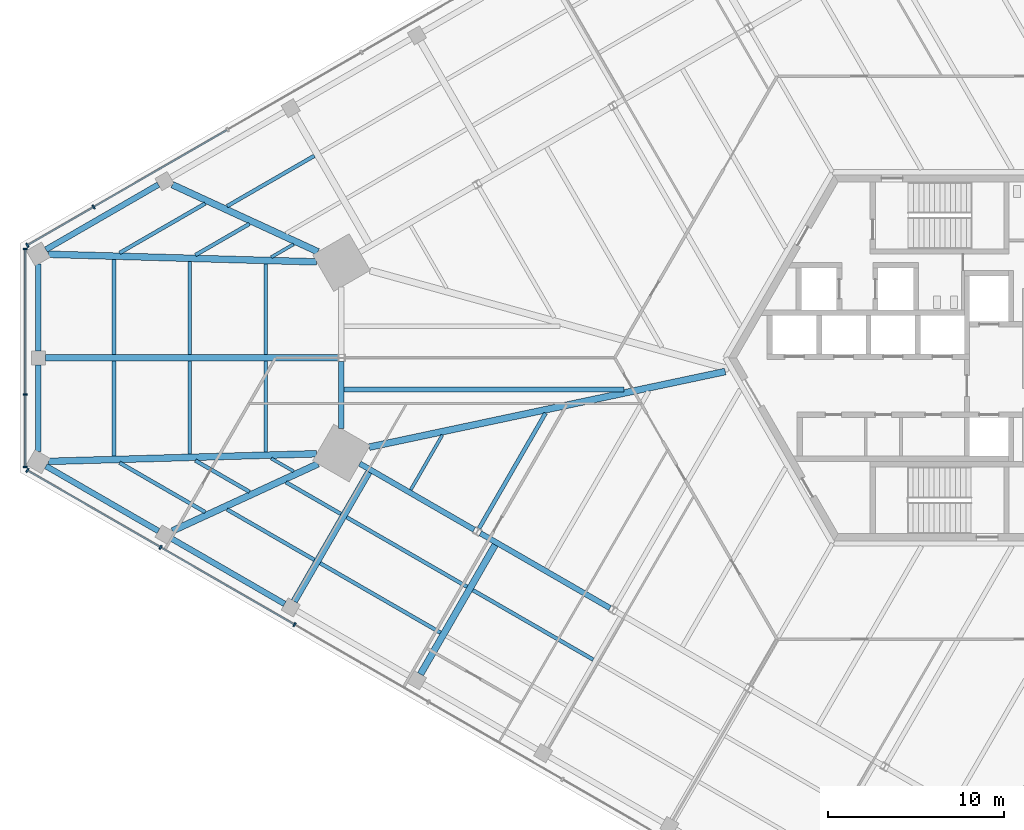
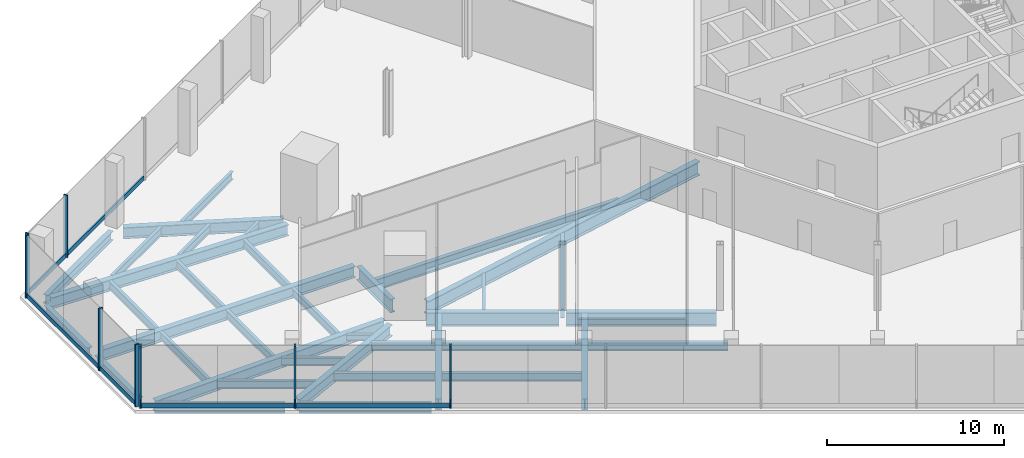
# One storey, part 7 of 25: 37 beams, 14 members, 3 elements without a shape of their own.
"""IFC4 building model written with IfcOpenShell, lengths in metres."""

from ifc_helpers import new_model, si_unit, direction, frame, origin, origin_2d, place, context, subcontext, project, spatial, rectangle, i_section, extrude, source, transform, mapped, material, material_profile, profile_set, type_object, element, aggregate, save


model = new_model("IFC4")

# Units and contexts
model_context = context("Model", 3, precision=1e-05, world=origin(), true_north=direction((0.0, 1.0)))
body_context = subcontext(model_context, "Body", "Model", "MODEL_VIEW")
ifc_project = project(units=[si_unit("LENGTHUNIT", "METRE"), si_unit("AREAUNIT", "SQUARE_METRE"), si_unit("VOLUMEUNIT", "CUBIC_METRE"), si_unit("PLANEANGLEUNIT", "RADIAN"), si_unit("MASSUNIT", "GRAM", prefix="KILO")], contexts=[model_context])

# Site, building, storey
site_placement = place(None, origin())
site = spatial("IfcSite", under=ifc_project, at=site_placement, CompositionType="ELEMENT")
building_placement = place(site_placement, origin())
building = spatial("IfcBuilding", under=site, at=building_placement, Name="Triune Harvest Tower", CompositionType="ELEMENT")
storey_placement = place(building_placement, frame((0.0, 0.0, 11.5)))
storey = spatial("IfcBuildingStorey", under=building, at=storey_placement, Name="L02", CompositionType="ELEMENT", Elevation=11.5)

# Beams
ifc_material_1 = material(Name="Steel ASTM A992 Gr 50", Category="steel")
ifc_material_profile_1 = material_profile(ifc_material_1, i_section(OverallWidth=0.309814453125, OverallDepth=0.93212890625, WebThickness=0.02099609375, FlangeThickness=0.034423828125, at=origin_2d()), Name="W36x210")
ifc_profile_set_1 = profile_set([ifc_material_profile_1], Name="Steel ASTM A992 Gr 50")
beam_type_1 = type_object("IfcBeamType", Name="SB-3 Spandrel beam W36x210", PredefinedType="SPANDREL", material=ifc_profile_set_1)
shared_shape_1 = source(origin(), body_context, "Body", "SweptSolid", [
    extrude(i_section(OverallWidth=0.309814453125, OverallDepth=0.93212890625, WebThickness=0.02099609375, FlangeThickness=0.034423828125, at=origin_2d()), origin(), (0.0, 0.0, 1.0), 7.508056640625),
])
beam_1_placement = place(storey_placement, frame((-32.949462890625, -6.010009765625, -0.666015625), z_axis=(0.866033425553, -0.499986105632, 0.0), x_axis=(0.499986105632, 0.866033425553, 0.0)))
element("IfcBeam", 1, at=beam_1_placement, inside=storey, type_object=beam_type_1, Name="beam/L02/SB17", PredefinedType="SPANDREL", context=body_context, shape_type="MappedRepresentation", body=[
    mapped(shared_shape_1, transform((0.0, 0.0, 0.0), scale=1.0)),
])
shared_shape_2 = source(origin(), body_context, "Body", "SweptSolid", [
    extrude(i_section(OverallWidth=0.309814453125, OverallDepth=0.93212890625, WebThickness=0.02099609375, FlangeThickness=0.034423828125, at=origin_2d()), origin(), (0.0, 0.0, 1.0), 8.506103515625),
])
beam_2_placement = place(storey_placement, frame((-26.097412109375, -9.966064453125, -0.666015625), z_axis=(0.866030246746, -0.49999161165, 0.0), x_axis=(0.49999161165, 0.866030246746, 0.0)))
element("IfcBeam", 2, at=beam_2_placement, inside=storey, type_object=beam_type_1, Name="beam/L02/SB18", PredefinedType="SPANDREL", context=body_context, shape_type="MappedRepresentation", body=[
    mapped(shared_shape_2, transform((0.0, 0.0, 0.0), scale=1.0)),
])
shared_shape_3 = source(origin(), body_context, "Body", "SweptSolid", [
    extrude(i_section(OverallWidth=0.309814453125, OverallDepth=0.93212890625, WebThickness=0.02099609375, FlangeThickness=0.034423828125, at=origin_2d()), origin(), (0.0, 0.0, 1.0), 3.822509765625),
])
beam_3_placement = place(storey_placement, frame((-33.988525390625, -0.201904296875, -0.666015625), z_axis=(0.0, -1.0, 0.0), x_axis=(1.0, 0.0, 0.0)))
element("IfcBeam", 3, at=beam_3_placement, inside=storey, type_object=beam_type_1, Name="beam/L02/SB16", PredefinedType="SPANDREL", context=body_context, shape_type="MappedRepresentation", body=[
    mapped(shared_shape_3, transform((0.0, 0.0, 0.0), scale=1.0)),
])
ifc_material_2 = material(Name="Steel ASTM A992 Gr 50", Category="steel")
ifc_material_profile_2 = material_profile(ifc_material_2, i_section(OverallWidth=0.383544921875, OverallDepth=0.9423828125, WebThickness=0.022216796875, FlangeThickness=0.039794921875, at=origin_2d()), Name="W36x232")
ifc_profile_set_2 = profile_set([ifc_material_profile_2], Name="Steel ASTM A992 Gr 50")
beam_type_2 = type_object("IfcBeamType", Name="HG-1 Hip girder W36x232", PredefinedType="BEAM", material=ifc_profile_set_2)
shared_shape_4 = source(origin(), body_context, "Body", "SweptSolid", [
    extrude(i_section(OverallWidth=0.383544921875, OverallDepth=0.9423828125, WebThickness=0.022216796875, FlangeThickness=0.039794921875, at=origin_2d()), origin(), (0.0, 0.0, 1.0), 20.676025390625),
])
beam_4_placement = place(storey_placement, frame((-32.4091796875, -5.07470703125, -0.671142578125), z_axis=(0.978185071399, 0.207735327022, 0.0), x_axis=(-0.207735327022, 0.978185071399, 0.0)))
element("IfcBeam", 4, at=beam_4_placement, inside=storey, type_object=beam_type_2, Name="beam/L02/HG5", PredefinedType="BEAM", context=body_context, shape_type="MappedRepresentation", body=[
    mapped(shared_shape_4, transform((0.0, 0.0, 0.0), scale=1.0)),
])
ifc_material_3 = material(Name="Steel ASTM A992 Gr 50", Category="steel")
ifc_material_profile_3 = material_profile(ifc_material_3, i_section(OverallWidth=0.22900390625, OverallDepth=0.612060546875, WebThickness=0.011962890625, FlangeThickness=0.01953125, at=origin_2d()), Name="W24x84")
ifc_profile_set_3 = profile_set([ifc_material_profile_3], Name="Steel ASTM A992 Gr 50")
beam_type_3 = type_object("IfcBeamType", Name="JT-3 Floor joist W24x84", PredefinedType="JOIST", material=ifc_profile_set_3)
shared_shape_5 = source(origin(), body_context, "Body", "SweptSolid", [
    extrude(i_section(OverallWidth=0.22900390625, OverallDepth=0.612060546875, WebThickness=0.011962890625, FlangeThickness=0.01953125, at=origin_2d()), origin(), (0.0, 0.0, 1.0), 7.558349609375),
])
beam_5_placement = place(storey_placement, frame((-26.170654296875, -9.68896484375, -0.506103515625), z_axis=(0.499991809969, 0.866030132249, 0.0), x_axis=(-0.866030132249, 0.499991809969, 0.0)))
element("IfcBeam", 5, at=beam_5_placement, inside=storey, type_object=beam_type_3, Name="beam/L02/JT28", PredefinedType="JOIST", context=body_context, shape_type="MappedRepresentation", body=[
    mapped(shared_shape_5, transform((0.0, 0.0, 0.0), scale=1.0)),
])
ifc_material_4 = material(Name="Steel ASTM A992 Gr 50", Category="steel")
ifc_material_profile_4 = material_profile(ifc_material_4, i_section(OverallWidth=0.2666015625, OverallDepth=0.7568359375, WebThickness=0.013916015625, FlangeThickness=0.019287109375, at=origin_2d()), Name="W30x108")
ifc_profile_set_4 = profile_set([ifc_material_profile_4], Name="Steel ASTM A992 Gr 50")
beam_type_4 = type_object("IfcBeamType", Name="JT-5 Floor joist W30x108", PredefinedType="JOIST", material=ifc_profile_set_4)
shared_shape_6 = source(origin(), body_context, "Body", "SweptSolid", [
    extrude(i_section(OverallWidth=0.2666015625, OverallDepth=0.7568359375, WebThickness=0.013916015625, FlangeThickness=0.019287109375, at=origin_2d()), origin(), (0.0, 0.0, 1.0), 15.9052734375),
])
beam_6_placement = place(storey_placement, frame((-33.833740234375, -1.80322265625, -0.57861328125), z_axis=(1.0, 0.0, 0.0), x_axis=(0.0, 1.0, 0.0)))
element("IfcBeam", 6, at=beam_6_placement, inside=storey, type_object=beam_type_4, Name="beam/L02/JT26", PredefinedType="JOIST", context=body_context, shape_type="MappedRepresentation", body=[
    mapped(shared_shape_6, transform((0.0, 0.0, 0.0), scale=1.0)),
])
ifc_material_5 = material(Name="Steel ASTM A992 Gr 50", Category="steel")
ifc_material_profile_5 = material_profile(ifc_material_5, i_section(OverallWidth=0.180908203125, OverallDepth=0.41650390625, WebThickness=0.010986328125, FlangeThickness=0.01806640625, at=origin_2d()), Name="W16x57")
ifc_profile_set_5 = profile_set([ifc_material_profile_5], Name="Steel ASTM A992 Gr 50")
beam_type_5 = type_object("IfcBeamType", Name="JT-1 Floor joist W16x57", PredefinedType="JOIST", material=ifc_profile_set_5)
shared_shape_7 = source(origin(), body_context, "Body", "SweptSolid", [
    extrude(i_section(OverallWidth=0.180908203125, OverallDepth=0.41650390625, WebThickness=0.010986328125, FlangeThickness=0.01806640625, at=origin_2d()), origin(), (0.0, 0.0, 1.0), 3.59716796875),
])
beam_7_placement = place(storey_placement, frame((-30.052978515625, -7.50341796875, -0.408203125), z_axis=(0.500000537794, 0.866025093288, 0.0), x_axis=(-0.866025093288, 0.500000537794, 0.0)))
element("IfcBeam", 7, at=beam_7_placement, inside=storey, type_object=beam_type_5, Name="beam/L02/JT27", PredefinedType="JOIST", context=body_context, shape_type="MappedRepresentation", body=[
    mapped(shared_shape_7, transform((0.0, 0.0, 0.0), scale=1.0)),
])
ifc_material_6 = material(Name="Steel ASTM A992 Gr 50", Category="steel")
ifc_material_profile_6 = material_profile(ifc_material_6, i_section(OverallWidth=0.32763671875, OverallDepth=0.62744140625, WebThickness=0.0166015625, FlangeThickness=0.027587890625, at=origin_2d()), Name="W24x146")
ifc_profile_set_6 = profile_set([ifc_material_profile_6], Name="Steel ASTM A992 Gr 50")
beam_type_6 = type_object("IfcBeamType", Name="PD-4 Podium edge beam W24x146", PredefinedType="BEAM", material=ifc_profile_set_6)
shared_shape_8 = source(origin(), body_context, "Body", "SweptSolid", [
    extrude(i_section(OverallWidth=0.32763671875, OverallDepth=0.62744140625, WebThickness=0.0166015625, FlangeThickness=0.027587890625, at=origin_2d()), origin(), (0.0, 0.0, 1.0), 7.47998046875),
])
beam_8_placement = place(storey_placement, frame((-43.69384765625, -10.239990234375, -0.513671875), z_axis=(0.866023067432, -0.500004046659, 0.0), x_axis=(0.500004046659, 0.866023067432, 0.0)))
element("IfcBeam", 8, at=beam_8_placement, inside=storey, type_object=beam_type_6, Name="beam/L02/PE27", PredefinedType="BEAM", context=body_context, shape_type="MappedRepresentation", body=[
    mapped(shared_shape_8, transform((0.0, 0.0, 0.0), scale=1.0)),
])
shared_shape_9 = source(origin(), body_context, "Body", "SweptSolid", [
    extrude(i_section(OverallWidth=0.32763671875, OverallDepth=0.62744140625, WebThickness=0.0166015625, FlangeThickness=0.027587890625, at=origin_2d()), origin(), (0.0, 0.0, 1.0), 4.922607421875),
])
for number, where, z_axis, x_axis, name in (
    (9, (-51.2109375, 5.322509765625, -0.513671875), (0.0, -1.0, 0.0), (1.0, 0.0, 0.0), "beam/L02/PE24"),
    (10, (-51.2109375, -0.39990234375, -0.513671875), (0.0, -1.0, 0.0), (1.0, 0.0, 0.0), "beam/L02/PE25"),
):
    element("IfcBeam", number, at=place(storey_placement, frame(where, z_axis=z_axis, x_axis=x_axis)), inside=storey, type_object=beam_type_6, Name=name, PredefinedType="BEAM", context=body_context, shape_type="MappedRepresentation", body=[
        mapped(shared_shape_9, transform((0.0, 0.0, 0.0), scale=1.0)),
    ])
shared_shape_10 = source(origin(), body_context, "Body", "SweptSolid", [
    extrude(i_section(OverallWidth=0.32763671875, OverallDepth=0.62744140625, WebThickness=0.0166015625, FlangeThickness=0.027587890625, at=origin_2d()), origin(), (0.0, 0.0, 1.0), 7.380126953125),
])
for number, where, z_axis, x_axis, name in (
    (11, (-44.38671875, 9.840087890625, -0.513671875), (-0.866017563931, -0.500013578778, 0.0), (0.500013578778, -0.866017563931, 0.0), "beam/L02/PE23"),
    (12, (-50.778076171875, -6.14990234375, -0.513671875), (0.866017563931, -0.500013578778, 0.0), (0.500013578778, 0.866017563931, 0.0), "beam/L02/PE26"),
):
    element("IfcBeam", number, at=place(storey_placement, frame(where, z_axis=z_axis, x_axis=x_axis)), inside=storey, type_object=beam_type_6, Name=name, PredefinedType="BEAM", context=body_context, shape_type="MappedRepresentation", body=[
        mapped(shared_shape_10, transform((0.0, 0.0, 0.0), scale=1.0)),
    ])
ifc_material_7 = material(Name="Steel ASTM A992 Gr 50", Category="steel")
ifc_material_profile_7 = material_profile(ifc_material_7, i_section(OverallWidth=0.381103515625, OverallDepth=0.772216796875, WebThickness=0.0166015625, FlangeThickness=0.027099609375, at=origin_2d()), Name="W30x173")
ifc_profile_set_7 = profile_set([ifc_material_profile_7], Name="Steel ASTM A992 Gr 50")
beam_type_7 = type_object("IfcBeamType", Name="PD-3 Podium girder W30x173", PredefinedType="BEAM", material=ifc_profile_set_7)
shared_shape_11 = source(origin(), body_context, "Body", "SweptSolid", [
    extrude(i_section(OverallWidth=0.381103515625, OverallDepth=0.772216796875, WebThickness=0.0166015625, FlangeThickness=0.027099609375, at=origin_2d()), origin(), (0.0, 0.0, 1.0), 8.480712890625),
])
beam_9_placement = place(storey_placement, frame((-29.498779296875, -17.9736328125, -0.586181640625), z_axis=(0.499990755813, 0.866030740852, 0.0), x_axis=(-0.866030740852, 0.499990755813, 0.0)))
element("IfcBeam", 13, at=beam_9_placement, inside=storey, type_object=beam_type_7, Name="beam/L02/PR31", PredefinedType="BEAM", context=body_context, shape_type="MappedRepresentation", body=[
    mapped(shared_shape_11, transform((0.0, 0.0, 0.0), scale=1.0)),
])
shared_shape_12 = source(origin(), body_context, "Body", "SweptSolid", [
    extrude(i_section(OverallWidth=0.381103515625, OverallDepth=0.772216796875, WebThickness=0.0166015625, FlangeThickness=0.027099609375, at=origin_2d()), origin(), (0.0, 0.0, 1.0), 15.232666015625),
])
for number, where, z_axis, x_axis, name in (
    (14, (-50.6240234375, 5.88330078125, -0.586181640625), (0.999595712635, -0.028432574304, 0.0), (0.028432574304, 0.999595712635, 0.0), "beam/L02/PR26"),
    (15, (-50.6240234375, -5.88330078125, -0.586181640625), (0.999595712635, 0.028432574304, 0.0), (-0.028432574304, 0.999595712635, 0.0), "beam/L02/PR28"),
):
    element("IfcBeam", number, at=place(storey_placement, frame(where, z_axis=z_axis, x_axis=x_axis)), inside=storey, type_object=beam_type_7, Name=name, PredefinedType="BEAM", context=body_context, shape_type="MappedRepresentation", body=[
        mapped(shared_shape_12, transform((0.0, 0.0, 0.0), scale=1.0)),
    ])
shared_shape_13 = source(origin(), body_context, "Body", "SweptSolid", [
    extrude(i_section(OverallWidth=0.381103515625, OverallDepth=0.772216796875, WebThickness=0.0166015625, FlangeThickness=0.027099609375, at=origin_2d()), origin(), (0.0, 0.0, 1.0), 8.48046875),
])
beam_10_placement = place(storey_placement, frame((-36.669677734375, -13.83349609375, -0.586181640625), z_axis=(0.50002481252, 0.866011077795, 0.0), x_axis=(-0.866011077795, 0.50002481252, 0.0)))
element("IfcBeam", 16, at=beam_10_placement, inside=storey, type_object=beam_type_7, Name="beam/L02/PR30", PredefinedType="BEAM", context=body_context, shape_type="MappedRepresentation", body=[
    mapped(shared_shape_13, transform((0.0, 0.0, 0.0), scale=1.0)),
])
shared_shape_14 = source(origin(), body_context, "Body", "SweptSolid", [
    extrude(i_section(OverallWidth=0.381103515625, OverallDepth=0.772216796875, WebThickness=0.0166015625, FlangeThickness=0.027099609375, at=origin_2d()), origin(), (0.0, 0.0, 1.0), 9.10693359375),
])
for number, where, z_axis, x_axis, name in (
    (17, (-43.59521484375, 9.8349609375, -0.586181640625), (0.908279245406, -0.418364449213, 0.0), (0.418364449213, 0.908279245406, 0.0), "beam/L02/PR25"),
    (18, (-43.59521484375, -9.8349609375, -0.586181640625), (0.908279245406, 0.418364449213, 0.0), (-0.418364449213, 0.908279245406, 0.0), "beam/L02/PR29"),
):
    element("IfcBeam", number, at=place(storey_placement, frame(where, z_axis=z_axis, x_axis=x_axis)), inside=storey, type_object=beam_type_7, Name=name, PredefinedType="BEAM", context=body_context, shape_type="MappedRepresentation", body=[
        mapped(shared_shape_14, transform((0.0, 0.0, 0.0), scale=1.0)),
    ])
shared_shape_15 = source(origin(), body_context, "Body", "SweptSolid", [
    extrude(i_section(OverallWidth=0.381103515625, OverallDepth=0.772216796875, WebThickness=0.0166015625, FlangeThickness=0.027099609375, at=origin_2d()), origin(), (0.0, 0.0, 1.0), 16.619140625),
])
beam_11_placement = place(storey_placement, frame((-50.81103515625, 0.0, -0.586181640625), z_axis=(1.0, 0.0, 0.0), x_axis=(0.0, 1.0, 0.0)))
element("IfcBeam", 19, at=beam_11_placement, inside=storey, type_object=beam_type_7, Name="beam/L02/PR27", PredefinedType="BEAM", context=body_context, shape_type="MappedRepresentation", body=[
    mapped(shared_shape_15, transform((0.0, 0.0, 0.0), scale=1.0)),
])
ifc_material_8 = material(Name="Steel ASTM A992 Gr 50", Category="steel")
ifc_material_profile_8 = material_profile(ifc_material_8, i_section(OverallWidth=0.2138671875, OverallDepth=0.548583984375, WebThickness=0.0146484375, FlangeThickness=0.023681640625, at=origin_2d()), Name="W21x93")
ifc_profile_set_8 = profile_set([ifc_material_profile_8], Name="Steel ASTM A992 Gr 50")
beam_type_8 = type_object("IfcBeamType", Name="PD-5 Podium joist W21x93", PredefinedType="JOIST", material=ifc_profile_set_8)
shared_shape_16 = source(origin(), body_context, "Body", "SweptSolid", [
    extrude(i_section(OverallWidth=0.2138671875, OverallDepth=0.548583984375, WebThickness=0.0146484375, FlangeThickness=0.023681640625, at=origin_2d()), origin(), (0.0, 0.0, 1.0), 5.613525390625),
])
for number, where, z_axis, x_axis, name in (
    (20, (-41.7294921875, 8.765869140625, -0.474365234375), (-0.866010310244, -0.500026141868, 0.0), (0.500026141868, -0.866010310244, 0.0), "beam/L02/PJ47"),
    (21, (-46.5908203125, -5.958984375, -0.474365234375), (0.866010310244, -0.500026141868, 0.0), (0.500026141868, 0.866010310244, 0.0), "beam/L02/PJ56"),
):
    element("IfcBeam", number, at=place(storey_placement, frame(where, z_axis=z_axis, x_axis=x_axis)), inside=storey, type_object=beam_type_8, Name=name, PredefinedType="JOIST", context=body_context, shape_type="MappedRepresentation", body=[
        mapped(shared_shape_16, transform((0.0, 0.0, 0.0), scale=1.0)),
    ])
shared_shape_17 = source(origin(), body_context, "Body", "SweptSolid", [
    extrude(i_section(OverallWidth=0.2138671875, OverallDepth=0.548583984375, WebThickness=0.0146484375, FlangeThickness=0.023681640625, at=origin_2d()), origin(), (0.0, 0.0, 1.0), 3.59619140625),
])
beam_12_placement = place(storey_placement, frame((-37.13720703125, -7.070068359375, -0.474365234375), z_axis=(0.866032969717, -0.499986895192, 0.0), x_axis=(0.499986895192, 0.866032969717, 0.0)))
element("IfcBeam", 22, at=beam_12_placement, inside=storey, type_object=beam_type_8, Name="beam/L02/PJ60", PredefinedType="JOIST", context=body_context, shape_type="MappedRepresentation", body=[
    mapped(shared_shape_17, transform((0.0, 0.0, 0.0), scale=1.0)),
])
shared_shape_18 = source(origin(), body_context, "Body", "SweptSolid", [
    extrude(i_section(OverallWidth=0.2138671875, OverallDepth=0.548583984375, WebThickness=0.0146484375, FlangeThickness=0.023681640625, at=origin_2d()), origin(), (0.0, 0.0, 1.0), 7.899169921875),
])
for number, where, z_axis, x_axis, name in (
    (23, (-35.19873046875, -11.6669921875, -0.474365234375), (0.866030148722, -0.499991781437, 0.0), (0.499991781437, 0.866030148722, 0.0), "beam/L02/PJ61"),
    (24, (-33.69287109375, -9.05859375, -0.474365234375), (0.866030148722, -0.499991781437, 0.0), (0.499991781437, 0.866030148722, 0.0), "beam/L02/PJ62"),
    (25, (-26.522216796875, -13.198486328125, -0.474365234375), (0.866016765394, -0.500014961832, 0.0), (0.500014961832, 0.866016765394, 0.0), "beam/L02/PJ64"),
):
    element("IfcBeam", number, at=place(storey_placement, frame(where, z_axis=z_axis, x_axis=x_axis)), inside=storey, type_object=beam_type_8, Name=name, PredefinedType="JOIST", context=body_context, shape_type="MappedRepresentation", body=[
        mapped(shared_shape_18, transform((0.0, 0.0, 0.0), scale=1.0)),
    ])
shared_shape_19 = source(origin(), body_context, "Body", "SweptSolid", [
    extrude(i_section(OverallWidth=0.2138671875, OverallDepth=0.548583984375, WebThickness=0.0146484375, FlangeThickness=0.023681640625, at=origin_2d()), origin(), (0.0, 0.0, 1.0), 5.27392578125),
])
for number, where, z_axis, x_axis, name in (
    (26, (-42.599853515625, 5.46435546875, -0.474365234375), (0.0, -1.0, 0.0), (1.0, 0.0, 0.0), "beam/L02/PJ51"),
    (27, (-42.599853515625, -0.1904296875, -0.474365234375), (0.0, -1.0, 0.0), (1.0, 0.0, 0.0), "beam/L02/PJ54"),
):
    element("IfcBeam", number, at=place(storey_placement, frame(where, z_axis=z_axis, x_axis=x_axis)), inside=storey, type_object=beam_type_8, Name=name, PredefinedType="JOIST", context=body_context, shape_type="MappedRepresentation", body=[
        mapped(shared_shape_19, transform((0.0, 0.0, 0.0), scale=1.0)),
    ])
shared_shape_20 = source(origin(), body_context, "Body", "SweptSolid", [
    extrude(i_section(OverallWidth=0.2138671875, OverallDepth=0.548583984375, WebThickness=0.0146484375, FlangeThickness=0.023681640625, at=origin_2d()), origin(), (0.0, 0.0, 1.0), 5.1513671875),
])
for number, where, z_axis, x_axis, name in (
    (28, (-38.294189453125, 5.341796875, -0.474365234375), (0.0, -1.0, 0.0), (1.0, 0.0, 0.0), "beam/L02/PJ52"),
    (29, (-38.294189453125, -0.1904296875, -0.474365234375), (0.0, -1.0, 0.0), (1.0, 0.0, 0.0), "beam/L02/PJ55"),
):
    element("IfcBeam", number, at=place(storey_placement, frame(where, z_axis=z_axis, x_axis=x_axis)), inside=storey, type_object=beam_type_8, Name=name, PredefinedType="JOIST", context=body_context, shape_type="MappedRepresentation", body=[
        mapped(shared_shape_20, transform((0.0, 0.0, 0.0), scale=1.0)),
    ])
shared_shape_21 = source(origin(), body_context, "Body", "SweptSolid", [
    extrude(i_section(OverallWidth=0.2138671875, OverallDepth=0.548583984375, WebThickness=0.0146484375, FlangeThickness=0.023681640625, at=origin_2d()), origin(), (0.0, 0.0, 1.0), 3.54345703125),
])
for number, where, z_axis, x_axis, name in (
    (30, (-39.216552734375, 7.6083984375, -0.474365234375), (-0.866016916595, -0.500014699955, 0.0), (0.500014699955, -0.866016916595, 0.0), "beam/L02/PJ48"),
    (31, (-42.28515625, -5.836669921875, -0.474365234375), (0.866016916595, -0.500014699955, 0.0), (0.500014699955, 0.866016916595, 0.0), "beam/L02/PJ57"),
):
    element("IfcBeam", number, at=place(storey_placement, frame(where, z_axis=z_axis, x_axis=x_axis)), inside=storey, type_object=beam_type_8, Name=name, PredefinedType="JOIST", context=body_context, shape_type="MappedRepresentation", body=[
        mapped(shared_shape_21, transform((0.0, 0.0, 0.0), scale=1.0)),
    ])
shared_shape_22 = source(origin(), body_context, "Body", "SweptSolid", [
    extrude(i_section(OverallWidth=0.2138671875, OverallDepth=0.548583984375, WebThickness=0.0146484375, FlangeThickness=0.023681640625, at=origin_2d()), origin(), (0.0, 0.0, 1.0), 5.726318359375),
])
for number, where, z_axis, x_axis, name in (
    (32, (-35.528564453125, 11.476318359375, -0.474365234375), (-0.866038622153, -0.499977104415, 0.0), (0.499977104415, -0.866038622153, 0.0), "beam/L02/PJ45"),
    (33, (-40.48779296875, -8.61328125, -0.474365234375), (0.866038622153, -0.499977104415, 0.0), (0.499977104415, 0.866038622153, 0.0), "beam/L02/PJ59"),
):
    element("IfcBeam", number, at=place(storey_placement, frame(where, z_axis=z_axis, x_axis=x_axis)), inside=storey, type_object=beam_type_8, Name=name, PredefinedType="JOIST", context=body_context, shape_type="MappedRepresentation", body=[
        mapped(shared_shape_22, transform((0.0, 0.0, 0.0), scale=1.0)),
    ])
ifc_material_9 = material(Name="Steel ASTM A992 Gr 50", Category="steel")
ifc_material_profile_9 = material_profile(ifc_material_9, i_section(OverallWidth=0.180908203125, OverallDepth=0.41650390625, WebThickness=0.010986328125, FlangeThickness=0.01806640625, at=origin_2d()), Name="W16x57")
ifc_profile_set_9 = profile_set([ifc_material_profile_9], Name="Steel ASTM A992 Gr 50")
beam_type_9 = type_object("IfcBeamType", Name="PD-6 Podium short joist W16x57", PredefinedType="JOIST", material=ifc_profile_set_9)
shared_shape_23 = source(origin(), body_context, "Body", "SweptSolid", [
    extrude(i_section(OverallWidth=0.180908203125, OverallDepth=0.41650390625, WebThickness=0.010986328125, FlangeThickness=0.01806640625, at=origin_2d()), origin(), (0.0, 0.0, 1.0), 1.47314453125),
])
for number, where, z_axis, x_axis, name in (
    (34, (-36.70361328125, 6.45068359375, -0.408203125), (-0.86604208752, -0.499971101808, 0.0), (0.499971101808, -0.86604208752, 0.0), "beam/L02/PJ49"),
    (35, (-37.9794921875, -5.714111328125, -0.408203125), (0.86604208752, -0.499971101808, 0.0), (0.499971101808, 0.86604208752, 0.0), "beam/L02/PJ58"),
):
    element("IfcBeam", number, at=place(storey_placement, frame(where, z_axis=z_axis, x_axis=x_axis)), inside=storey, type_object=beam_type_9, Name=name, PredefinedType="JOIST", context=body_context, shape_type="MappedRepresentation", body=[
        mapped(shared_shape_23, transform((0.0, 0.0, 0.0), scale=1.0)),
    ])
shared_shape_24 = source(origin(), body_context, "Body", "SweptSolid", [
    extrude(i_section(OverallWidth=0.2138671875, OverallDepth=0.548583984375, WebThickness=0.0146484375, FlangeThickness=0.023681640625, at=origin_2d()), origin(), (0.0, 0.0, 1.0), 5.396484375),
])
for number, where, z_axis, x_axis, name in (
    (36, (-46.905517578125, 5.5869140625, -0.474365234375), (0.0, -1.0, 0.0), (1.0, 0.0, 0.0), "beam/L02/PJ50"),
    (37, (-46.905517578125, -0.1904296875, -0.474365234375), (0.0, -1.0, 0.0), (1.0, 0.0, 0.0), "beam/L02/PJ53"),
):
    element("IfcBeam", number, at=place(storey_placement, frame(where, z_axis=z_axis, x_axis=x_axis)), inside=storey, type_object=beam_type_8, Name=name, PredefinedType="JOIST", context=body_context, shape_type="MappedRepresentation", body=[
        mapped(shared_shape_24, transform((0.0, 0.0, 0.0), scale=1.0)),
    ])

# Curtain wall, members
ifc_material_10 = material(Name="Aluminium bronze anodised", Category="aluminium")
curtain_wall_type = type_object("IfcCurtainWallType", Name="CW-2 Podium shopfront wall", PredefinedType="NOTDEFINED", material=ifc_material_10)
curtain_wall_1_placement = place(storey_placement, origin())
curtain_wall_1 = element("IfcCurtainWall", 38, at=curtain_wall_1_placement, inside=storey, type_object=curtain_wall_type, Name="CW-2 PD-F4 L02 run 1")
ifc_material_11 = material(Name="Aluminium bronze anodised", Category="aluminium")
ifc_material_profile_10 = material_profile(ifc_material_11, rectangle(XDim=0.10009765625, YDim=0.300048828125, at=origin_2d()), Name="TR-2 transom 100 x 300")
ifc_profile_set_10 = profile_set([ifc_material_profile_10], Name="Aluminium bronze anodised")
member_type_1 = type_object("IfcMemberType", Name="TR-2 transom 100 x 300", PredefinedType="USERDEFINED", material=ifc_profile_set_10)
shared_shape_25 = source(origin(), body_context, "Body", "SweptSolid", [
    extrude(rectangle(XDim=0.10009765625, YDim=0.300048828125, at=origin_2d()), origin(), (0.0, 0.0, 1.0), 8.1806640625),
])
member_1_placement = place(storey_placement, frame((-51.9501953125, 6.146728515625, 0.14990234375), z_axis=(0.0, -1.0, 0.0), x_axis=(1.0, 0.0, 0.0)))
member_1 = element("IfcMember", 39, at=member_1_placement, type_object=member_type_1, Name="CW-2 transom PD-F4 1.1", ObjectType="TRANSOM", PredefinedType="USERDEFINED", context=body_context, shape_type="MappedRepresentation", body=[
    mapped(shared_shape_25, transform((0.0, 0.0, 0.0), scale=1.0)),
])
shared_shape_26 = source(origin(), body_context, "Body", "SweptSolid", [
    extrude(rectangle(XDim=0.10009765625, YDim=0.300048828125, at=origin_2d()), origin(), (0.0, 0.0, 1.0), 4.022705078125),
])
member_2_placement = place(storey_placement, frame((-51.9501953125, -2.1240234375, 0.14990234375), z_axis=(0.0, -1.0, 0.0), x_axis=(1.0, 0.0, 0.0)))
member_2 = element("IfcMember", 40, at=member_2_placement, type_object=member_type_1, Name="CW-2 transom PD-F4 1.2", ObjectType="TRANSOM", PredefinedType="USERDEFINED", context=body_context, shape_type="MappedRepresentation", body=[
    mapped(shared_shape_26, transform((0.0, 0.0, 0.0), scale=1.0)),
])

curtain_wall_2_placement = place(storey_placement, origin())
curtain_wall_2 = element("IfcCurtainWall", 41, at=curtain_wall_2_placement, inside=storey, type_object=curtain_wall_type, Name="CW-2 PD-F3 L02 run 1")
ifc_material_12 = material(Name="Aluminium bronze anodised", Category="aluminium")
ifc_material_profile_11 = material_profile(ifc_material_12, rectangle(XDim=0.25, YDim=0.090087890625, at=origin_2d()), Name="MU-2 mullion 90 x 250")
ifc_profile_set_11 = profile_set([ifc_material_profile_11], Name="Aluminium bronze anodised")
member_type_2 = type_object("IfcMemberType", Name="MU-2 mullion 90 x 250", PredefinedType="MULLION", material=ifc_profile_set_11)
shared_shape_27 = source(origin(), body_context, "Body", "SweptSolid", [
    extrude(rectangle(XDim=0.25, YDim=0.090087890625, at=origin_2d()), origin(), (0.0, 0.0, 1.0), 4.300048828125),
])
member_3_placement = place(storey_placement, frame((-48.067626953125, 8.568359375, 0.0), z_axis=(0.0, 0.0, 1.0), x_axis=(0.500000221117, -0.866025276122, 0.0)))
member_3 = element("IfcMember", 42, at=member_3_placement, type_object=member_type_2, Name="CW-2 mullion PD-F3 1.19", PredefinedType="MULLION", context=body_context, shape_type="MappedRepresentation", body=[
    mapped(shared_shape_27, transform((0.0, 0.0, 0.0), scale=1.0)),
])
member_4_placement = place(storey_placement, frame((-51.833251953125, 6.394287109375, 0.0), z_axis=(0.0, 0.0, 1.0), x_axis=(0.500000221117, -0.866025276122, 0.0)))
member_4 = element("IfcMember", 43, at=member_4_placement, type_object=member_type_2, Name="CW-2 mullion PD-F3 1.20", PredefinedType="MULLION", context=body_context, shape_type="MappedRepresentation", body=[
    mapped(shared_shape_27, transform((0.0, 0.0, 0.0), scale=1.0)),
])

# Member
member_5_placement = place(storey_placement, frame((-51.9501953125, 6.19189453125, 0.0), z_axis=(0.0, 0.0, 1.0), x_axis=(1.0, 0.0, 0.0)))
member_5 = element("IfcMember", 44, at=member_5_placement, type_object=member_type_2, Name="CW-2 mullion PD-F4 1.1", PredefinedType="MULLION", context=body_context, shape_type="MappedRepresentation", body=[
    mapped(shared_shape_27, transform((0.0, 0.0, 0.0), scale=1.0)),
])

member_6_placement = place(storey_placement, frame((-51.9501953125, -2.078857421875, 0.0), z_axis=(0.0, 0.0, 1.0), x_axis=(1.0, 0.0, 0.0)))
member_6 = element("IfcMember", 45, at=member_6_placement, type_object=member_type_2, Name="CW-2 mullion PD-F4 1.3", PredefinedType="MULLION", context=body_context, shape_type="MappedRepresentation", body=[
    mapped(shared_shape_27, transform((0.0, 0.0, 0.0), scale=1.0)),
])

member_7_placement = place(storey_placement, frame((-51.9501953125, -6.19189453125, 0.0), z_axis=(0.0, 0.0, 1.0), x_axis=(1.0, 0.0, 0.0)))
member_7 = element("IfcMember", 46, at=member_7_placement, type_object=member_type_2, Name="CW-2 mullion PD-F4 1.4", PredefinedType="MULLION", context=body_context, shape_type="MappedRepresentation", body=[
    mapped(shared_shape_27, transform((0.0, 0.0, 0.0), scale=1.0)),
])

aggregate(curtain_wall_1, [member_5, member_6, member_7, member_1, member_2])

# Curtain wall, members
curtain_wall_3_placement = place(storey_placement, origin())
curtain_wall_3 = element("IfcCurtainWall", 47, at=curtain_wall_3_placement, inside=storey, type_object=curtain_wall_type, Name="CW-2 PD-F5 L02 run 1")
member_8_placement = place(storey_placement, frame((-51.833251953125, -6.394287109375, 0.0), z_axis=(0.0, 0.0, 1.0), x_axis=(0.500000221117, 0.866025276122, 0.0)))
member_8 = element("IfcMember", 48, at=member_8_placement, type_object=member_type_2, Name="CW-2 mullion PD-F5 1.1", PredefinedType="MULLION", context=body_context, shape_type="MappedRepresentation", body=[
    mapped(shared_shape_27, transform((0.0, 0.0, 0.0), scale=1.0)),
])
member_9_placement = place(storey_placement, frame((-44.2626953125, -10.76513671875, 0.0), z_axis=(0.0, 0.0, 1.0), x_axis=(0.500000221117, 0.866025276122, 0.0)))
member_9 = element("IfcMember", 49, at=member_9_placement, type_object=member_type_2, Name="CW-2 mullion PD-F5 1.3", PredefinedType="MULLION", context=body_context, shape_type="MappedRepresentation", body=[
    mapped(shared_shape_27, transform((0.0, 0.0, 0.0), scale=1.0)),
])
member_10_placement = place(storey_placement, frame((-36.6533203125, -15.158447265625, 0.0), z_axis=(0.0, 0.0, 1.0), x_axis=(0.500000221117, 0.866025276122, 0.0)))
member_10 = element("IfcMember", 50, at=member_10_placement, type_object=member_type_2, Name="CW-2 mullion PD-F5 1.5", PredefinedType="MULLION", context=body_context, shape_type="MappedRepresentation", body=[
    mapped(shared_shape_27, transform((0.0, 0.0, 0.0), scale=1.0)),
])

# Member
shared_shape_28 = source(origin(), body_context, "Body", "SweptSolid", [
    extrude(rectangle(XDim=0.10009765625, YDim=0.300048828125, at=origin_2d()), origin(), (0.0, 0.0, 1.0), 8.696533203125),
])
member_11_placement = place(storey_placement, frame((-40.4970703125, 12.939208984375, 0.14990234375), z_axis=(-0.866033651025, -0.499985715088, 0.0), x_axis=(0.499985715088, -0.866033651025, 0.0)))
member_11 = element("IfcMember", 51, at=member_11_placement, type_object=member_type_1, Name="CW-2 transom PD-F3 1.9", ObjectType="TRANSOM", PredefinedType="USERDEFINED", context=body_context, shape_type="MappedRepresentation", body=[
    mapped(shared_shape_28, transform((0.0, 0.0, 0.0), scale=1.0)),
])

shared_shape_29 = source(origin(), body_context, "Body", "SweptSolid", [
    extrude(rectangle(XDim=0.10009765625, YDim=0.300048828125, at=origin_2d()), origin(), (0.0, 0.0, 1.0), 8.69677734375),
])
member_12_placement = place(storey_placement, frame((-44.223876953125, -10.78759765625, 0.14990234375), z_axis=(0.866028513234, -0.499994614237, 0.0), x_axis=(0.499994614237, 0.866028513234, 0.0)))
member_12 = element("IfcMember", 52, at=member_12_placement, type_object=member_type_1, Name="CW-2 transom PD-F5 1.2", ObjectType="TRANSOM", PredefinedType="USERDEFINED", context=body_context, shape_type="MappedRepresentation", body=[
    mapped(shared_shape_29, transform((0.0, 0.0, 0.0), scale=1.0)),
])

shared_shape_30 = source(origin(), body_context, "Body", "SweptSolid", [
    extrude(rectangle(XDim=0.10009765625, YDim=0.300048828125, at=origin_2d()), origin(), (0.0, 0.0, 1.0), 8.65185546875),
])
member_13_placement = place(storey_placement, frame((-51.79443359375, -6.416748046875, 0.14990234375), z_axis=(0.866023934592, -0.500002544707, 0.0), x_axis=(0.500002544707, 0.866023934592, 0.0)))
member_13 = element("IfcMember", 53, at=member_13_placement, type_object=member_type_1, Name="CW-2 transom PD-F5 1.1", ObjectType="TRANSOM", PredefinedType="USERDEFINED", context=body_context, shape_type="MappedRepresentation", body=[
    mapped(shared_shape_30, transform((0.0, 0.0, 0.0), scale=1.0)),
])

aggregate(curtain_wall_3, [member_8, member_9, member_10, member_13, member_12])

shared_shape_31 = source(origin(), body_context, "Body", "SweptSolid", [
    extrude(rectangle(XDim=0.10009765625, YDim=0.300048828125, at=origin_2d()), origin(), (0.0, 0.0, 1.0), 4.258544921875),
])
member_14_placement = place(storey_placement, frame((-48.1064453125, 8.5458984375, 0.14990234375), z_axis=(-0.866036653373, -0.499980514634, 0.0), x_axis=(0.499980514634, -0.866036653373, 0.0)))
member_14 = element("IfcMember", 54, at=member_14_placement, type_object=member_type_1, Name="CW-2 transom PD-F3 1.10", ObjectType="TRANSOM", PredefinedType="USERDEFINED", context=body_context, shape_type="MappedRepresentation", body=[
    mapped(shared_shape_31, transform((0.0, 0.0, 0.0), scale=1.0)),
])

aggregate(curtain_wall_2, [member_3, member_4, member_11, member_14])

save(model, "model.ifc")
